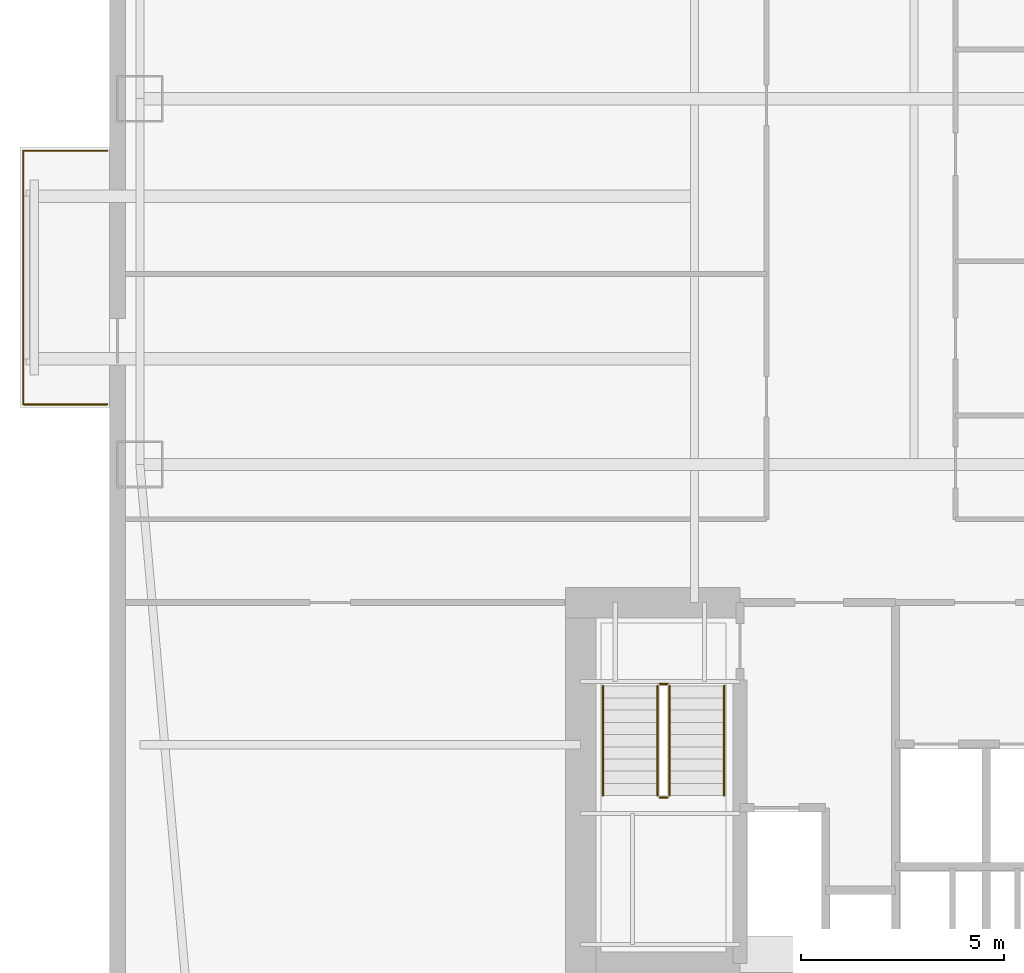
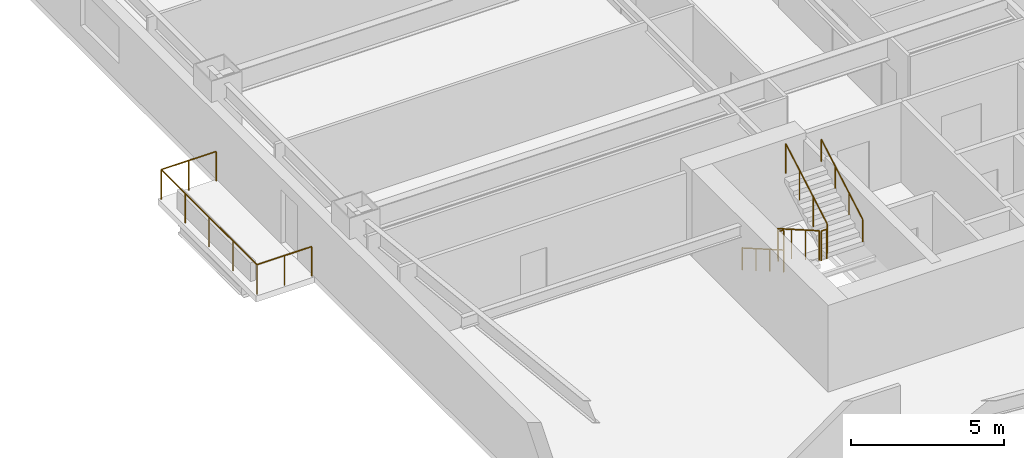
# One storey, part 11 of 15: 7 railings.
"""IFC4 building model written with IfcOpenShell, lengths in metres."""

from ifc_helpers import new_model, si_unit, direction, frame, origin, origin_2d, place, context, subcontext, project, spatial, circle, extrude, material, type_object, element, save


model = new_model("IFC4")

# Units and contexts
model_context = context("Model", 3, precision=1e-05, world=origin(), true_north=direction((0.0, 1.0)))
body_context = subcontext(model_context, "Body", "Model", "MODEL_VIEW")
ifc_project = project(units=[si_unit("LENGTHUNIT", "METRE"), si_unit("AREAUNIT", "SQUARE_METRE"), si_unit("VOLUMEUNIT", "CUBIC_METRE"), si_unit("PLANEANGLEUNIT", "RADIAN"), si_unit("MASSUNIT", "GRAM", prefix="KILO")], contexts=[model_context])

# Site, building, storey
site_placement = place(None, origin())
site = spatial("IfcSite", under=ifc_project, at=site_placement, CompositionType="ELEMENT")
building_placement = place(site_placement, origin())
building = spatial("IfcBuilding", under=site, at=building_placement, Name="Qiaolan Cultural Towers", CompositionType="ELEMENT")
storey_placement = place(building_placement, frame((0.0, 0.0, 60.949951171875)))
storey = spatial("IfcBuildingStorey", under=building, at=storey_placement, Name="L14", CompositionType="ELEMENT", Elevation=60.949951171875)

# Railings
ifc_material_1 = material(Name="Laminated SentryGlas & Stainless Steel S31608 Balustrade", Category="steel")
railing_type_1 = type_object("IfcRailingType", Name="GRD-TERR-1200", PredefinedType="BALUSTRADE", material=ifc_material_1)
railing_1_placement = place(storey_placement, frame((10.14990234375, 26.47998046875, 0.0)))
element("IfcRailing", 1, at=railing_1_placement, inside=storey, type_object=railing_type_1, Name="L14 T1 Tree Balcony Guardrail W", PredefinedType="BALUSTRADE", context=body_context, shape_type="SweptSolid", body=[
    extrude(circle(Radius=0.02392578125, at=origin_2d()), frame((0.0, 0.0, 1.17578125), z_axis=(-1.0, 0.0, 0.0), x_axis=(0.0, -1.0, 0.0)), (0.0, 0.0, 1.0), 2.06982421875),
    extrude(circle(Radius=0.02392578125, at=origin_2d()), frame((-2.06982421875, 0.0, 1.17578125), z_axis=(0.0, 1.0, 0.0), x_axis=(-1.0, 0.0, 0.0)), (0.0, 0.0, 1.0), 6.239990234375),
    extrude(circle(Radius=0.02392578125, at=origin_2d()), frame((-2.06982421875, 6.239990234375, 1.17578125), z_axis=(1.0, 0.0, 0.0), x_axis=(0.0, 1.0, 0.0)), (0.0, 0.0, 1.0), 2.06982421875),
    extrude(circle(Radius=0.02099609375, at=origin_2d()), origin(), (0.0, 0.0, 1.0), 1.15185546875),
    extrude(circle(Radius=0.02099609375, at=origin_2d()), frame((-1.034912109375, 0.0, 0.0)), (0.0, 0.0, 1.0), 1.15185546875),
    extrude(circle(Radius=0.02099609375, at=origin_2d()), frame((-2.06982421875, 0.0, 0.0)), (0.0, 0.0, 1.0), 1.15185546875),
    extrude(circle(Radius=0.02099609375, at=origin_2d()), frame((-2.06982421875, 1.56005859375, 0.0)), (0.0, 0.0, 1.0), 1.15185546875),
    extrude(circle(Radius=0.02099609375, at=origin_2d()), frame((-2.06982421875, 3.1201171875, 0.0)), (0.0, 0.0, 1.0), 1.15185546875),
    extrude(circle(Radius=0.02099609375, at=origin_2d()), frame((-2.06982421875, 4.679931640625, 0.0)), (0.0, 0.0, 1.0), 1.15185546875),
    extrude(circle(Radius=0.02099609375, at=origin_2d()), frame((-2.06982421875, 6.239990234375, 0.0)), (0.0, 0.0, 1.0), 1.15185546875),
    extrude(circle(Radius=0.02099609375, at=origin_2d()), frame((-1.034912109375, 6.239990234375, 0.0)), (0.0, 0.0, 1.0), 1.15185546875),
    extrude(circle(Radius=0.02099609375, at=origin_2d()), frame((0.0, 6.239990234375, 0.0)), (0.0, 0.0, 1.0), 1.15185546875),
])
ifc_material_2 = material(Name="Galvanized Painted Steel Stair Guardrail", Category="steel")
railing_type_2 = type_object("IfcRailingType", Name="RL-STAIR-GRD", PredefinedType="GUARDRAIL", material=ifc_material_2)
railing_2_placement = place(storey_placement, frame((23.68994140625, 19.550048828125, 0.172607421875)))
element("IfcRailing", 2, at=railing_2_placement, inside=storey, type_object=railing_type_2, Name="L14 ST-W1 stair guard 1", PredefinedType="GUARDRAIL", context=body_context, shape_type="SweptSolid", body=[
    extrude(circle(Radius=0.02392578125, at=origin_2d()), frame((0.0, 0.0, 1.17578125), z_axis=(0.0, -0.866903762492, 0.498475542607), x_axis=(1.0, 0.0, 0.0)), (0.0, 0.0, 1.0), 3.114501953125),
    extrude(circle(Radius=0.02099609375, at=origin_2d()), origin(), (0.0, 0.0, 1.0), 1.15185546875),
    extrude(circle(Radius=0.02099609375, at=origin_2d()), frame((0.0, -0.89990234375, 0.517578125)), (0.0, 0.0, 1.0), 1.15185546875),
    extrude(circle(Radius=0.02099609375, at=origin_2d()), frame((0.0, -1.800048828125, 1.034912109375)), (0.0, 0.0, 1.0), 1.15185546875),
    extrude(circle(Radius=0.02099609375, at=origin_2d()), frame((0.0, -2.699951171875, 1.552490234375)), (0.0, 0.0, 1.0), 1.15185546875),
])
railing_3_placement = place(storey_placement, frame((23.739990234375, 16.800048828125, 1.72509765625)))
element("IfcRailing", 3, at=railing_3_placement, inside=storey, type_object=railing_type_2, Name="L14 ST-W1 stair guard 2", PredefinedType="GUARDRAIL", context=body_context, shape_type="SweptSolid", body=[
    extrude(circle(Radius=0.02392578125, at=origin_2d()), frame((0.0, 0.0, 1.17578125), z_axis=(1.0, 0.0, 0.0), x_axis=(0.0, 1.0, 0.0)), (0.0, 0.0, 1.0), 0.199951171875),
    extrude(circle(Radius=0.02099609375, at=origin_2d()), origin(), (0.0, 0.0, 1.0), 1.15185546875),
    extrude(circle(Radius=0.02099609375, at=origin_2d()), frame((0.199951171875, 0.0, 0.0)), (0.0, 0.0, 1.0), 1.15185546875),
])
railing_4_placement = place(storey_placement, frame((23.989990234375, 16.85009765625, 1.8974609375)))
element("IfcRailing", 4, at=railing_4_placement, inside=storey, type_object=railing_type_2, Name="L14 ST-W1 stair guard 3", PredefinedType="GUARDRAIL", context=body_context, shape_type="SweptSolid", body=[
    extrude(circle(Radius=0.02392578125, at=origin_2d()), frame((0.0, 0.0, 1.17578125), z_axis=(0.0, 0.866903762492, 0.498475542607), x_axis=(-1.0, 0.0, 0.0)), (0.0, 0.0, 1.0), 3.114501953125),
    extrude(circle(Radius=0.02099609375, at=origin_2d()), origin(), (0.0, 0.0, 1.0), 1.15185546875),
    extrude(circle(Radius=0.02099609375, at=origin_2d()), frame((0.0, 0.89990234375, 0.517578125)), (0.0, 0.0, 1.0), 1.15185546875),
    extrude(circle(Radius=0.02099609375, at=origin_2d()), frame((0.0, 1.800048828125, 1.034912109375)), (0.0, 0.0, 1.0), 1.15185546875),
    extrude(circle(Radius=0.02099609375, at=origin_2d()), frame((0.0, 2.699951171875, 1.552490234375)), (0.0, 0.0, 1.0), 1.15185546875),
])
railing_5_placement = place(storey_placement, frame((23.739990234375, 19.60009765625, 0.0)))
element("IfcRailing", 5, at=railing_5_placement, inside=storey, type_object=railing_type_2, Name="L14 ST-W1 stair guard 4", PredefinedType="GUARDRAIL", context=body_context, shape_type="SweptSolid", body=[
    extrude(circle(Radius=0.02392578125, at=origin_2d()), frame((0.0, 0.0, 1.17578125), z_axis=(1.0, 0.0, 0.0), x_axis=(0.0, 1.0, 0.0)), (0.0, 0.0, 1.0), 0.199951171875),
    extrude(circle(Radius=0.02099609375, at=origin_2d()), origin(), (0.0, 0.0, 1.0), 1.15185546875),
    extrude(circle(Radius=0.02099609375, at=origin_2d()), frame((0.199951171875, 0.0, 0.0)), (0.0, 0.0, 1.0), 1.15185546875),
])
ifc_material_3 = material(Name="Stainless Steel S30408 Tubular Handrail", Category="steel")
railing_type_3 = type_object("IfcRailingType", Name="RL-STAIR-HR", PredefinedType="HANDRAIL", material=ifc_material_3)
railing_6_placement = place(storey_placement, frame((22.35009765625, 19.550048828125, 0.172607421875)))
element("IfcRailing", 6, at=railing_6_placement, inside=storey, type_object=railing_type_3, Name="L14 ST-W1 stair handrail 1", PredefinedType="HANDRAIL", context=body_context, shape_type="SweptSolid", body=[
    extrude(circle(Radius=0.02392578125, at=origin_2d()), frame((0.0, 0.0, 0.8759765625), z_axis=(0.0, -0.866903762492, 0.498475542607), x_axis=(1.0, 0.0, 0.0)), (0.0, 0.0, 1.0), 3.114501953125),
    extrude(circle(Radius=0.02099609375, at=origin_2d()), origin(), (0.0, 0.0, 1.0), 0.851806640625),
    extrude(circle(Radius=0.02099609375, at=origin_2d()), frame((0.0, -0.89990234375, 0.517578125)), (0.0, 0.0, 1.0), 0.851806640625),
    extrude(circle(Radius=0.02099609375, at=origin_2d()), frame((0.0, -1.800048828125, 1.034912109375)), (0.0, 0.0, 1.0), 0.851806640625),
    extrude(circle(Radius=0.02099609375, at=origin_2d()), frame((0.0, -2.699951171875, 1.552490234375)), (0.0, 0.0, 1.0), 0.851806640625),
])
railing_7_placement = place(storey_placement, frame((25.330078125, 16.85009765625, 1.8974609375)))
element("IfcRailing", 7, at=railing_7_placement, inside=storey, type_object=railing_type_3, Name="L14 ST-W1 stair handrail 2", PredefinedType="HANDRAIL", context=body_context, shape_type="SweptSolid", body=[
    extrude(circle(Radius=0.02392578125, at=origin_2d()), frame((0.0, 0.0, 0.8759765625), z_axis=(0.0, 0.866903762492, 0.498475542607), x_axis=(-1.0, 0.0, 0.0)), (0.0, 0.0, 1.0), 3.114501953125),
    extrude(circle(Radius=0.02099609375, at=origin_2d()), origin(), (0.0, 0.0, 1.0), 0.851806640625),
    extrude(circle(Radius=0.02099609375, at=origin_2d()), frame((0.0, 0.89990234375, 0.517578125)), (0.0, 0.0, 1.0), 0.851806640625),
    extrude(circle(Radius=0.02099609375, at=origin_2d()), frame((0.0, 1.800048828125, 1.034912109375)), (0.0, 0.0, 1.0), 0.851806640625),
    extrude(circle(Radius=0.02099609375, at=origin_2d()), frame((0.0, 2.699951171875, 1.552490234375)), (0.0, 0.0, 1.0), 0.851806640625),
])

save(model, "model.ifc")
